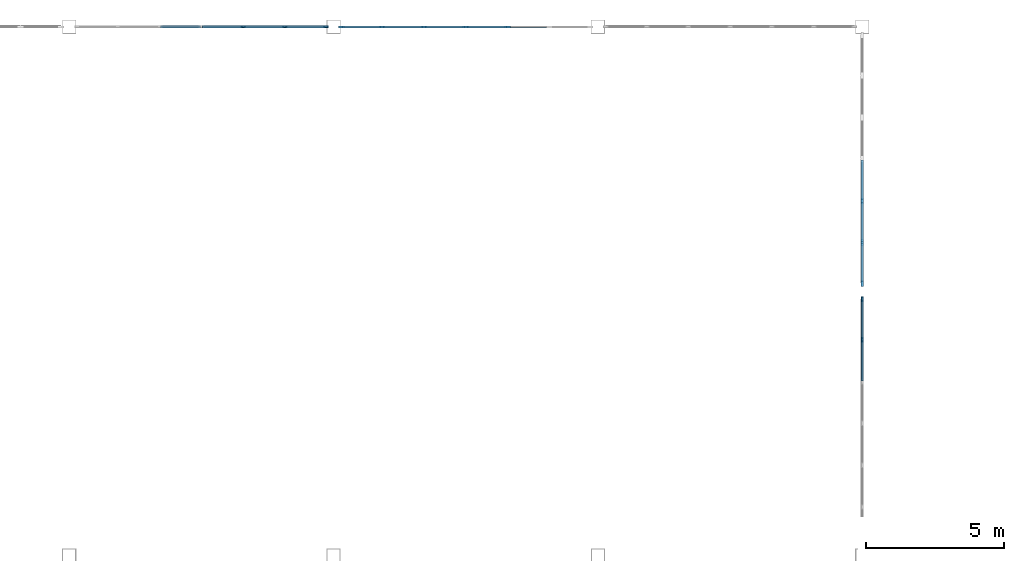
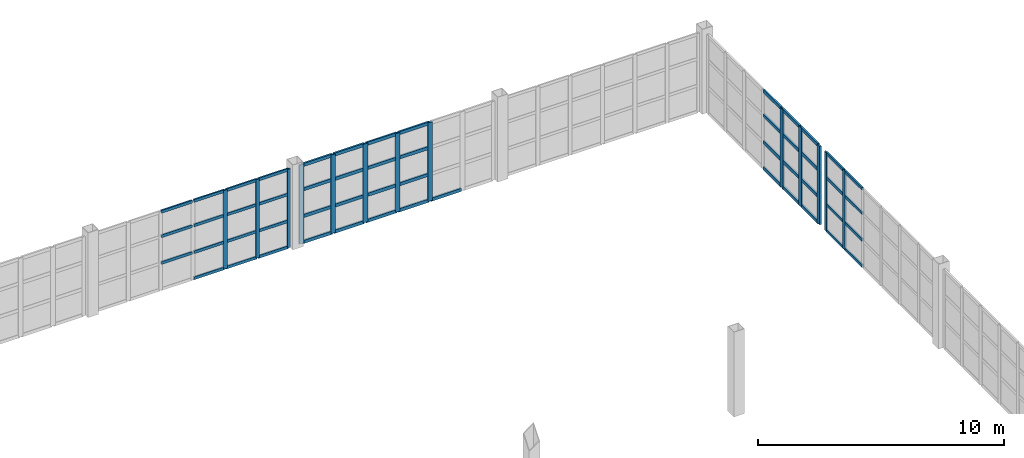
# One storey, part 40 of 82: 65 members, 4 elements without a shape of their own.
"""IFC4 building model written with IfcOpenShell, lengths in metres."""

from ifc_helpers import new_model, si_unit, direction, frame, origin, origin_2d, place, context, subcontext, project, spatial, rectangle, extrude, material, layer, layer_set, material_profile, profile_set, type_object, element, aggregate, save


model = new_model("IFC4")

# Units and contexts
model_context = context("Model", 3, precision=1e-05, world=origin(), true_north=direction((0.0, 1.0)))
body_context = subcontext(model_context, "Body", "Model", "MODEL_VIEW")
ifc_project = project(units=[si_unit("LENGTHUNIT", "METRE"), si_unit("AREAUNIT", "SQUARE_METRE"), si_unit("VOLUMEUNIT", "CUBIC_METRE"), si_unit("PLANEANGLEUNIT", "RADIAN"), si_unit("MASSUNIT", "GRAM", prefix="KILO")], contexts=[model_context])

# Site, building, storey
site_placement = place(None, origin())
site = spatial("IfcSite", under=ifc_project, at=site_placement, CompositionType="ELEMENT")
building_placement = place(site_placement, origin())
building = spatial("IfcBuilding", under=site, at=building_placement, Name="Zarnetskaya Central Station", CompositionType="ELEMENT")
storey_placement = place(building_placement, frame((0.0, 0.0, 10.199951171875)))
storey = spatial("IfcBuildingStorey", under=building, at=storey_placement, Name="L02", CompositionType="ELEMENT", Elevation=10.199951171875)

# Curtain wall, members
ifc_material_1 = material(Name="Low-E insulated glass", Category="glass")
ifc_layer = layer(ifc_material_1, 0.1640625, Name="Low-E insulated glass", Category="glass")
ifc_layer_set = layer_set([ifc_layer], Name="Low-E insulated glass")
curtain_wall_type = type_object("IfcCurtainWallType", Name="CW-SYS-12", PredefinedType="USERDEFINED", material=ifc_layer_set)
curtain_wall_1_placement = place(storey_placement, origin())
curtain_wall_1 = element("IfcCurtainWall", 1, at=curtain_wall_1_placement, inside=storey, type_object=curtain_wall_type, Name="Curtain wall CW-L02-173", ObjectType="CURTAIN WALL", PredefinedType="USERDEFINED")
ifc_material_2 = material(Name="Anodised aluminium", Category="aluminium")
ifc_material_profile_1 = material_profile(ifc_material_2, rectangle(XDim=0.070068359375, YDim=0.179931640625, at=origin_2d()), Name="ALU MULL 70x180")
ifc_profile_set_1 = profile_set([ifc_material_profile_1], Name="Anodised aluminium")
member_type_1 = type_object("IfcMemberType", Name="CW-MULL-180", PredefinedType="MULLION", material=ifc_profile_set_1)
member_1_placement = place(storey_placement, frame((102.316650390625, 124.800048828125, 0.0), z_axis=(0.0, 0.0, 1.0), x_axis=(0.0, 1.0, 0.0)))
member_1 = element("IfcMember", 2, at=member_1_placement, type_object=member_type_1, Name="CW-18 mullion 5", PredefinedType="MULLION", context=body_context, shape_type="SweptSolid", body=[
    extrude(rectangle(XDim=0.070068359375, YDim=0.179931640625, at=origin_2d()), origin(), (0.0, 0.0, 1.0), 3.900146484375),
])
member_2_placement = place(storey_placement, frame((103.833251953125, 124.800048828125, 0.0), z_axis=(0.0, 0.0, 1.0), x_axis=(0.0, 1.0, 0.0)))
member_2 = element("IfcMember", 3, at=member_2_placement, type_object=member_type_1, Name="CW-18 mullion 6", PredefinedType="MULLION", context=body_context, shape_type="SweptSolid", body=[
    extrude(rectangle(XDim=0.070068359375, YDim=0.179931640625, at=origin_2d()), origin(), (0.0, 0.0, 1.0), 3.900146484375),
])
member_3_placement = place(storey_placement, frame((105.31494140625, 124.800048828125, 0.0), z_axis=(0.0, 0.0, 1.0), x_axis=(0.0, 1.0, 0.0)))
member_3 = element("IfcMember", 4, at=member_3_placement, type_object=member_type_1, Name="CW-18 mullion 7", PredefinedType="MULLION", context=body_context, shape_type="SweptSolid", body=[
    extrude(rectangle(XDim=0.070068359375, YDim=0.179931640625, at=origin_2d()), origin(), (0.0, 0.0, 1.0), 3.900146484375),
])

curtain_wall_2_placement = place(storey_placement, origin())
curtain_wall_2 = element("IfcCurtainWall", 5, at=curtain_wall_2_placement, inside=storey, type_object=curtain_wall_type, Name="Curtain wall CW-L02-177", ObjectType="CURTAIN WALL", PredefinedType="USERDEFINED")
member_4_placement = place(storey_placement, frame((124.800048828125, 114.9150390625, 0.0), z_axis=(0.0, 0.0, 1.0), x_axis=(1.0, 0.0, 0.0)))
member_4 = element("IfcMember", 6, at=member_4_placement, type_object=member_type_1, Name="CW-18 mullion 1", PredefinedType="MULLION", context=body_context, shape_type="SweptSolid", body=[
    extrude(rectangle(XDim=0.070068359375, YDim=0.179931640625, at=origin_2d()), origin(), (0.0, 0.0, 1.0), 3.900146484375),
])
member_5_placement = place(storey_placement, frame((124.800048828125, 113.433349609375, 0.0), z_axis=(0.0, 0.0, 1.0), x_axis=(1.0, 0.0, 0.0)))
member_5 = element("IfcMember", 7, at=member_5_placement, type_object=member_type_1, Name="CW-18 mullion 2", PredefinedType="MULLION", context=body_context, shape_type="SweptSolid", body=[
    extrude(rectangle(XDim=0.070068359375, YDim=0.179931640625, at=origin_2d()), origin(), (0.0, 0.0, 1.0), 3.900146484375),
])

curtain_wall_3_placement = place(storey_placement, origin())
curtain_wall_3 = element("IfcCurtainWall", 8, at=curtain_wall_3_placement, inside=storey, type_object=curtain_wall_type, Name="Curtain wall CW-L02-174", ObjectType="CURTAIN WALL", PredefinedType="USERDEFINED")
ifc_material_profile_2 = material_profile(ifc_material_2, rectangle(XDim=0.080078125, YDim=0.219970703125, at=origin_2d()), Name="ALU MULL 80x220")
ifc_profile_set_2 = profile_set([ifc_material_profile_2], Name="Anodised aluminium")
member_type_2 = type_object("IfcMemberType", Name="CW-MULL-220", PredefinedType="MULLION", material=ifc_profile_set_2)
member_6_placement = place(storey_placement, frame((105.889892578125, 124.800048828125, 0.0), z_axis=(0.0, 0.0, 1.0), x_axis=(0.0, 1.0, 0.0)))
member_6 = element("IfcMember", 9, at=member_6_placement, type_object=member_type_2, Name="CW-18 mullion 1", PredefinedType="MULLION", context=body_context, shape_type="SweptSolid", body=[
    extrude(rectangle(XDim=0.080078125, YDim=0.219970703125, at=origin_2d()), origin(), (0.0, 0.0, 1.0), 3.900146484375),
])
member_7_placement = place(storey_placement, frame((107.36669921875, 124.800048828125, 0.0), z_axis=(0.0, 0.0, 1.0), x_axis=(0.0, 1.0, 0.0)))
member_7 = element("IfcMember", 10, at=member_7_placement, type_object=member_type_2, Name="CW-18 mullion 2", PredefinedType="MULLION", context=body_context, shape_type="SweptSolid", body=[
    extrude(rectangle(XDim=0.080078125, YDim=0.219970703125, at=origin_2d()), origin(), (0.0, 0.0, 1.0), 3.900146484375),
])
member_8_placement = place(storey_placement, frame((108.88330078125, 124.800048828125, 0.0), z_axis=(0.0, 0.0, 1.0), x_axis=(0.0, 1.0, 0.0)))
member_8 = element("IfcMember", 11, at=member_8_placement, type_object=member_type_2, Name="CW-18 mullion 3", PredefinedType="MULLION", context=body_context, shape_type="SweptSolid", body=[
    extrude(rectangle(XDim=0.080078125, YDim=0.219970703125, at=origin_2d()), origin(), (0.0, 0.0, 1.0), 3.900146484375),
])
member_9_placement = place(storey_placement, frame((110.39990234375, 124.800048828125, 0.0), z_axis=(0.0, 0.0, 1.0), x_axis=(0.0, 1.0, 0.0)))
member_9 = element("IfcMember", 12, at=member_9_placement, type_object=member_type_2, Name="CW-18 mullion 4", PredefinedType="MULLION", context=body_context, shape_type="SweptSolid", body=[
    extrude(rectangle(XDim=0.080078125, YDim=0.219970703125, at=origin_2d()), origin(), (0.0, 0.0, 1.0), 3.900146484375),
])
member_10_placement = place(storey_placement, frame((111.916748046875, 124.800048828125, 0.0), z_axis=(0.0, 0.0, 1.0), x_axis=(0.0, 1.0, 0.0)))
member_10 = element("IfcMember", 13, at=member_10_placement, type_object=member_type_2, Name="CW-18 mullion 5", PredefinedType="MULLION", context=body_context, shape_type="SweptSolid", body=[
    extrude(rectangle(XDim=0.080078125, YDim=0.219970703125, at=origin_2d()), origin(), (0.0, 0.0, 1.0), 3.900146484375),
])

curtain_wall_4_placement = place(storey_placement, origin())
curtain_wall_4 = element("IfcCurtainWall", 14, at=curtain_wall_4_placement, inside=storey, type_object=curtain_wall_type, Name="Curtain wall CW-L02-176", ObjectType="CURTAIN WALL", PredefinedType="USERDEFINED")
member_11_placement = place(storey_placement, frame((124.800048828125, 118.4833984375, 0.0), z_axis=(0.0, 0.0, 1.0), x_axis=(1.0, 0.0, 0.0)))
member_11 = element("IfcMember", 15, at=member_11_placement, type_object=member_type_2, Name="CW-18 mullion 5", PredefinedType="MULLION", context=body_context, shape_type="SweptSolid", body=[
    extrude(rectangle(XDim=0.080078125, YDim=0.219970703125, at=origin_2d()), origin(), (0.0, 0.0, 1.0), 3.900146484375),
])
member_12_placement = place(storey_placement, frame((124.800048828125, 116.966552734375, 0.0), z_axis=(0.0, 0.0, 1.0), x_axis=(1.0, 0.0, 0.0)))
member_12 = element("IfcMember", 16, at=member_12_placement, type_object=member_type_2, Name="CW-18 mullion 6", PredefinedType="MULLION", context=body_context, shape_type="SweptSolid", body=[
    extrude(rectangle(XDim=0.080078125, YDim=0.219970703125, at=origin_2d()), origin(), (0.0, 0.0, 1.0), 3.900146484375),
])
member_13_placement = place(storey_placement, frame((124.800048828125, 115.489990234375, 0.0), z_axis=(0.0, 0.0, 1.0), x_axis=(1.0, 0.0, 0.0)))
member_13 = element("IfcMember", 17, at=member_13_placement, type_object=member_type_2, Name="CW-18 mullion 7", PredefinedType="MULLION", context=body_context, shape_type="SweptSolid", body=[
    extrude(rectangle(XDim=0.080078125, YDim=0.219970703125, at=origin_2d()), origin(), (0.0, 0.0, 1.0), 3.900146484375),
])

# Member
ifc_material_profile_3 = material_profile(ifc_material_2, rectangle(XDim=0.070068359375, YDim=0.139892578125, at=origin_2d()), Name="ALU TRAN 70x140")
ifc_profile_set_3 = profile_set([ifc_material_profile_3], Name="Anodised aluminium")
member_type_3 = type_object("IfcMemberType", Name="CW-TRAN-140", PredefinedType="USERDEFINED", material=ifc_profile_set_3)
member_14_placement = place(storey_placement, frame((99.318359375, 124.800048828125, 1.325927734375), z_axis=(1.0, 0.0, 0.0), x_axis=(0.0, 1.0, 0.0)))
member_14 = element("IfcMember", 18, at=member_14_placement, type_object=member_type_3, Name="CW-18 transom 3.2", ObjectType="TRANSOM", PredefinedType="USERDEFINED", context=body_context, shape_type="SweptSolid", body=[
    extrude(rectangle(XDim=0.070068359375, YDim=0.139892578125, at=origin_2d()), origin(), (0.0, 0.0, 1.0), 1.446533203125),
])

member_15_placement = place(storey_placement, frame((99.318359375, 124.800048828125, 2.652099609375), z_axis=(1.0, 0.0, 0.0), x_axis=(0.0, 1.0, 0.0)))
member_15 = element("IfcMember", 19, at=member_15_placement, type_object=member_type_3, Name="CW-18 transom 3.3", ObjectType="TRANSOM", PredefinedType="USERDEFINED", context=body_context, shape_type="SweptSolid", body=[
    extrude(rectangle(XDim=0.070068359375, YDim=0.139892578125, at=origin_2d()), origin(), (0.0, 0.0, 1.0), 1.446533203125),
])

member_16_placement = place(storey_placement, frame((99.318359375, 124.800048828125, 3.864990234375), z_axis=(1.0, 0.0, 0.0), x_axis=(0.0, 1.0, 0.0)))
member_16 = element("IfcMember", 20, at=member_16_placement, type_object=member_type_3, Name="CW-18 transom 3.4", ObjectType="TRANSOM", PredefinedType="USERDEFINED", context=body_context, shape_type="SweptSolid", body=[
    extrude(rectangle(XDim=0.070068359375, YDim=0.139892578125, at=origin_2d()), origin(), (0.0, 0.0, 1.0), 1.446533203125),
])

member_17_placement = place(storey_placement, frame((100.8349609375, 124.800048828125, 0.03515625), z_axis=(1.0, 0.0, 0.0), x_axis=(0.0, 1.0, 0.0)))
member_17 = element("IfcMember", 21, at=member_17_placement, type_object=member_type_3, Name="CW-18 transom 4.1", ObjectType="TRANSOM", PredefinedType="USERDEFINED", context=body_context, shape_type="SweptSolid", body=[
    extrude(rectangle(XDim=0.070068359375, YDim=0.139892578125, at=origin_2d()), origin(), (0.0, 0.0, 1.0), 1.44677734375),
])

member_18_placement = place(storey_placement, frame((100.8349609375, 124.800048828125, 1.325927734375), z_axis=(1.0, 0.0, 0.0), x_axis=(0.0, 1.0, 0.0)))
member_18 = element("IfcMember", 22, at=member_18_placement, type_object=member_type_3, Name="CW-18 transom 4.2", ObjectType="TRANSOM", PredefinedType="USERDEFINED", context=body_context, shape_type="SweptSolid", body=[
    extrude(rectangle(XDim=0.070068359375, YDim=0.139892578125, at=origin_2d()), origin(), (0.0, 0.0, 1.0), 1.44677734375),
])

member_19_placement = place(storey_placement, frame((100.8349609375, 124.800048828125, 2.652099609375), z_axis=(1.0, 0.0, 0.0), x_axis=(0.0, 1.0, 0.0)))
member_19 = element("IfcMember", 23, at=member_19_placement, type_object=member_type_3, Name="CW-18 transom 4.3", ObjectType="TRANSOM", PredefinedType="USERDEFINED", context=body_context, shape_type="SweptSolid", body=[
    extrude(rectangle(XDim=0.070068359375, YDim=0.139892578125, at=origin_2d()), origin(), (0.0, 0.0, 1.0), 1.44677734375),
])

member_20_placement = place(storey_placement, frame((100.8349609375, 124.800048828125, 3.864990234375), z_axis=(1.0, 0.0, 0.0), x_axis=(0.0, 1.0, 0.0)))
member_20 = element("IfcMember", 24, at=member_20_placement, type_object=member_type_3, Name="CW-18 transom 4.4", ObjectType="TRANSOM", PredefinedType="USERDEFINED", context=body_context, shape_type="SweptSolid", body=[
    extrude(rectangle(XDim=0.070068359375, YDim=0.139892578125, at=origin_2d()), origin(), (0.0, 0.0, 1.0), 1.44677734375),
])

member_21_placement = place(storey_placement, frame((102.3515625, 124.800048828125, 0.03515625), z_axis=(1.0, 0.0, 0.0), x_axis=(0.0, 1.0, 0.0)))
member_21 = element("IfcMember", 25, at=member_21_placement, type_object=member_type_3, Name="CW-18 transom 5.1", ObjectType="TRANSOM", PredefinedType="USERDEFINED", context=body_context, shape_type="SweptSolid", body=[
    extrude(rectangle(XDim=0.070068359375, YDim=0.139892578125, at=origin_2d()), origin(), (0.0, 0.0, 1.0), 1.44677734375),
])

member_22_placement = place(storey_placement, frame((102.3515625, 124.800048828125, 1.325927734375), z_axis=(1.0, 0.0, 0.0), x_axis=(0.0, 1.0, 0.0)))
member_22 = element("IfcMember", 26, at=member_22_placement, type_object=member_type_3, Name="CW-18 transom 5.2", ObjectType="TRANSOM", PredefinedType="USERDEFINED", context=body_context, shape_type="SweptSolid", body=[
    extrude(rectangle(XDim=0.070068359375, YDim=0.139892578125, at=origin_2d()), origin(), (0.0, 0.0, 1.0), 1.44677734375),
])

member_23_placement = place(storey_placement, frame((102.3515625, 124.800048828125, 2.652099609375), z_axis=(1.0, 0.0, 0.0), x_axis=(0.0, 1.0, 0.0)))
member_23 = element("IfcMember", 27, at=member_23_placement, type_object=member_type_3, Name="CW-18 transom 5.3", ObjectType="TRANSOM", PredefinedType="USERDEFINED", context=body_context, shape_type="SweptSolid", body=[
    extrude(rectangle(XDim=0.070068359375, YDim=0.139892578125, at=origin_2d()), origin(), (0.0, 0.0, 1.0), 1.44677734375),
])

member_24_placement = place(storey_placement, frame((102.3515625, 124.800048828125, 3.864990234375), z_axis=(1.0, 0.0, 0.0), x_axis=(0.0, 1.0, 0.0)))
member_24 = element("IfcMember", 28, at=member_24_placement, type_object=member_type_3, Name="CW-18 transom 5.4", ObjectType="TRANSOM", PredefinedType="USERDEFINED", context=body_context, shape_type="SweptSolid", body=[
    extrude(rectangle(XDim=0.070068359375, YDim=0.139892578125, at=origin_2d()), origin(), (0.0, 0.0, 1.0), 1.44677734375),
])

member_25_placement = place(storey_placement, frame((103.868408203125, 124.800048828125, 0.03515625), z_axis=(1.0, 0.0, 0.0), x_axis=(0.0, 1.0, 0.0)))
member_25 = element("IfcMember", 29, at=member_25_placement, type_object=member_type_3, Name="CW-18 transom 6.1", ObjectType="TRANSOM", PredefinedType="USERDEFINED", context=body_context, shape_type="SweptSolid", body=[
    extrude(rectangle(XDim=0.070068359375, YDim=0.139892578125, at=origin_2d()), origin(), (0.0, 0.0, 1.0), 1.41162109375),
])

member_26_placement = place(storey_placement, frame((103.868408203125, 124.800048828125, 1.325927734375), z_axis=(1.0, 0.0, 0.0), x_axis=(0.0, 1.0, 0.0)))
member_26 = element("IfcMember", 30, at=member_26_placement, type_object=member_type_3, Name="CW-18 transom 6.2", ObjectType="TRANSOM", PredefinedType="USERDEFINED", context=body_context, shape_type="SweptSolid", body=[
    extrude(rectangle(XDim=0.070068359375, YDim=0.139892578125, at=origin_2d()), origin(), (0.0, 0.0, 1.0), 1.41162109375),
])

member_27_placement = place(storey_placement, frame((103.868408203125, 124.800048828125, 2.652099609375), z_axis=(1.0, 0.0, 0.0), x_axis=(0.0, 1.0, 0.0)))
member_27 = element("IfcMember", 31, at=member_27_placement, type_object=member_type_3, Name="CW-18 transom 6.3", ObjectType="TRANSOM", PredefinedType="USERDEFINED", context=body_context, shape_type="SweptSolid", body=[
    extrude(rectangle(XDim=0.070068359375, YDim=0.139892578125, at=origin_2d()), origin(), (0.0, 0.0, 1.0), 1.41162109375),
])

member_28_placement = place(storey_placement, frame((103.868408203125, 124.800048828125, 3.864990234375), z_axis=(1.0, 0.0, 0.0), x_axis=(0.0, 1.0, 0.0)))
member_28 = element("IfcMember", 32, at=member_28_placement, type_object=member_type_3, Name="CW-18 transom 6.4", ObjectType="TRANSOM", PredefinedType="USERDEFINED", context=body_context, shape_type="SweptSolid", body=[
    extrude(rectangle(XDim=0.070068359375, YDim=0.139892578125, at=origin_2d()), origin(), (0.0, 0.0, 1.0), 1.41162109375),
])

aggregate(curtain_wall_1, [member_1, member_2, member_3, member_14, member_15, member_16, member_17, member_18, member_19, member_20, member_21, member_22, member_23, member_24, member_25, member_26, member_27, member_28])

member_29_placement = place(storey_placement, frame((124.800048828125, 114.8798828125, 0.03515625), z_axis=(0.0, -1.0, 0.0), x_axis=(1.0, 0.0, 0.0)))
member_29 = element("IfcMember", 33, at=member_29_placement, type_object=member_type_3, Name="CW-18 transom 1.1", ObjectType="TRANSOM", PredefinedType="USERDEFINED", context=body_context, shape_type="SweptSolid", body=[
    extrude(rectangle(XDim=0.070068359375, YDim=0.139892578125, at=origin_2d()), origin(), (0.0, 0.0, 1.0), 1.41162109375),
])

member_30_placement = place(storey_placement, frame((124.800048828125, 114.8798828125, 1.325927734375), z_axis=(0.0, -1.0, 0.0), x_axis=(1.0, 0.0, 0.0)))
member_30 = element("IfcMember", 34, at=member_30_placement, type_object=member_type_3, Name="CW-18 transom 1.2", ObjectType="TRANSOM", PredefinedType="USERDEFINED", context=body_context, shape_type="SweptSolid", body=[
    extrude(rectangle(XDim=0.070068359375, YDim=0.139892578125, at=origin_2d()), origin(), (0.0, 0.0, 1.0), 1.41162109375),
])

member_31_placement = place(storey_placement, frame((124.800048828125, 114.8798828125, 2.652099609375), z_axis=(0.0, -1.0, 0.0), x_axis=(1.0, 0.0, 0.0)))
member_31 = element("IfcMember", 35, at=member_31_placement, type_object=member_type_3, Name="CW-18 transom 1.3", ObjectType="TRANSOM", PredefinedType="USERDEFINED", context=body_context, shape_type="SweptSolid", body=[
    extrude(rectangle(XDim=0.070068359375, YDim=0.139892578125, at=origin_2d()), origin(), (0.0, 0.0, 1.0), 1.41162109375),
])

member_32_placement = place(storey_placement, frame((124.800048828125, 114.8798828125, 3.864990234375), z_axis=(0.0, -1.0, 0.0), x_axis=(1.0, 0.0, 0.0)))
member_32 = element("IfcMember", 36, at=member_32_placement, type_object=member_type_3, Name="CW-18 transom 1.4", ObjectType="TRANSOM", PredefinedType="USERDEFINED", context=body_context, shape_type="SweptSolid", body=[
    extrude(rectangle(XDim=0.070068359375, YDim=0.139892578125, at=origin_2d()), origin(), (0.0, 0.0, 1.0), 1.41162109375),
])

member_33_placement = place(storey_placement, frame((124.800048828125, 113.3984375, 0.03515625), z_axis=(0.0, -1.0, 0.0), x_axis=(1.0, 0.0, 0.0)))
member_33 = element("IfcMember", 37, at=member_33_placement, type_object=member_type_3, Name="CW-18 transom 2.1", ObjectType="TRANSOM", PredefinedType="USERDEFINED", context=body_context, shape_type="SweptSolid", body=[
    extrude(rectangle(XDim=0.070068359375, YDim=0.139892578125, at=origin_2d()), origin(), (0.0, 0.0, 1.0), 1.44677734375),
])

member_34_placement = place(storey_placement, frame((124.800048828125, 113.3984375, 1.325927734375), z_axis=(0.0, -1.0, 0.0), x_axis=(1.0, 0.0, 0.0)))
member_34 = element("IfcMember", 38, at=member_34_placement, type_object=member_type_3, Name="CW-18 transom 2.2", ObjectType="TRANSOM", PredefinedType="USERDEFINED", context=body_context, shape_type="SweptSolid", body=[
    extrude(rectangle(XDim=0.070068359375, YDim=0.139892578125, at=origin_2d()), origin(), (0.0, 0.0, 1.0), 1.44677734375),
])

member_35_placement = place(storey_placement, frame((124.800048828125, 113.3984375, 2.652099609375), z_axis=(0.0, -1.0, 0.0), x_axis=(1.0, 0.0, 0.0)))
member_35 = element("IfcMember", 39, at=member_35_placement, type_object=member_type_3, Name="CW-18 transom 2.3", ObjectType="TRANSOM", PredefinedType="USERDEFINED", context=body_context, shape_type="SweptSolid", body=[
    extrude(rectangle(XDim=0.070068359375, YDim=0.139892578125, at=origin_2d()), origin(), (0.0, 0.0, 1.0), 1.44677734375),
])

member_36_placement = place(storey_placement, frame((124.800048828125, 113.3984375, 3.864990234375), z_axis=(0.0, -1.0, 0.0), x_axis=(1.0, 0.0, 0.0)))
member_36 = element("IfcMember", 40, at=member_36_placement, type_object=member_type_3, Name="CW-18 transom 2.4", ObjectType="TRANSOM", PredefinedType="USERDEFINED", context=body_context, shape_type="SweptSolid", body=[
    extrude(rectangle(XDim=0.070068359375, YDim=0.139892578125, at=origin_2d()), origin(), (0.0, 0.0, 1.0), 1.44677734375),
])

aggregate(curtain_wall_2, [member_4, member_5, member_29, member_30, member_31, member_32, member_33, member_34, member_35, member_36])

ifc_material_profile_4 = material_profile(ifc_material_2, rectangle(XDim=0.080078125, YDim=0.159912109375, at=origin_2d()), Name="ALU TRAN 80x160")
ifc_profile_set_4 = profile_set([ifc_material_profile_4], Name="Anodised aluminium")
member_type_4 = type_object("IfcMemberType", Name="CW-TRAN-160", PredefinedType="USERDEFINED", material=ifc_profile_set_4)
member_37_placement = place(storey_placement, frame((105.929931640625, 124.800048828125, 0.0400390625), z_axis=(1.0, 0.0, 0.0), x_axis=(0.0, 1.0, 0.0)))
member_37 = element("IfcMember", 41, at=member_37_placement, type_object=member_type_4, Name="CW-18 transom 1.1", ObjectType="TRANSOM", PredefinedType="USERDEFINED", context=body_context, shape_type="SweptSolid", body=[
    extrude(rectangle(XDim=0.080078125, YDim=0.159912109375, at=origin_2d()), origin(), (0.0, 0.0, 1.0), 1.396728515625),
])

member_38_placement = place(storey_placement, frame((105.929931640625, 124.800048828125, 1.325927734375), z_axis=(1.0, 0.0, 0.0), x_axis=(0.0, 1.0, 0.0)))
member_38 = element("IfcMember", 42, at=member_38_placement, type_object=member_type_4, Name="CW-18 transom 1.2", ObjectType="TRANSOM", PredefinedType="USERDEFINED", context=body_context, shape_type="SweptSolid", body=[
    extrude(rectangle(XDim=0.080078125, YDim=0.159912109375, at=origin_2d()), origin(), (0.0, 0.0, 1.0), 1.396728515625),
])

member_39_placement = place(storey_placement, frame((105.929931640625, 124.800048828125, 2.652099609375), z_axis=(1.0, 0.0, 0.0), x_axis=(0.0, 1.0, 0.0)))
member_39 = element("IfcMember", 43, at=member_39_placement, type_object=member_type_4, Name="CW-18 transom 1.3", ObjectType="TRANSOM", PredefinedType="USERDEFINED", context=body_context, shape_type="SweptSolid", body=[
    extrude(rectangle(XDim=0.080078125, YDim=0.159912109375, at=origin_2d()), origin(), (0.0, 0.0, 1.0), 1.396728515625),
])

member_40_placement = place(storey_placement, frame((105.929931640625, 124.800048828125, 3.860107421875), z_axis=(1.0, 0.0, 0.0), x_axis=(0.0, 1.0, 0.0)))
member_40 = element("IfcMember", 44, at=member_40_placement, type_object=member_type_4, Name="CW-18 transom 1.4", ObjectType="TRANSOM", PredefinedType="USERDEFINED", context=body_context, shape_type="SweptSolid", body=[
    extrude(rectangle(XDim=0.080078125, YDim=0.159912109375, at=origin_2d()), origin(), (0.0, 0.0, 1.0), 1.396728515625),
])

member_41_placement = place(storey_placement, frame((107.40673828125, 124.800048828125, 0.0400390625), z_axis=(1.0, 0.0, 0.0), x_axis=(0.0, 1.0, 0.0)))
member_41 = element("IfcMember", 45, at=member_41_placement, type_object=member_type_4, Name="CW-18 transom 2.1", ObjectType="TRANSOM", PredefinedType="USERDEFINED", context=body_context, shape_type="SweptSolid", body=[
    extrude(rectangle(XDim=0.080078125, YDim=0.159912109375, at=origin_2d()), origin(), (0.0, 0.0, 1.0), 1.4365234375),
])

member_42_placement = place(storey_placement, frame((107.40673828125, 124.800048828125, 1.325927734375), z_axis=(1.0, 0.0, 0.0), x_axis=(0.0, 1.0, 0.0)))
member_42 = element("IfcMember", 46, at=member_42_placement, type_object=member_type_4, Name="CW-18 transom 2.2", ObjectType="TRANSOM", PredefinedType="USERDEFINED", context=body_context, shape_type="SweptSolid", body=[
    extrude(rectangle(XDim=0.080078125, YDim=0.159912109375, at=origin_2d()), origin(), (0.0, 0.0, 1.0), 1.4365234375),
])

member_43_placement = place(storey_placement, frame((107.40673828125, 124.800048828125, 2.652099609375), z_axis=(1.0, 0.0, 0.0), x_axis=(0.0, 1.0, 0.0)))
member_43 = element("IfcMember", 47, at=member_43_placement, type_object=member_type_4, Name="CW-18 transom 2.3", ObjectType="TRANSOM", PredefinedType="USERDEFINED", context=body_context, shape_type="SweptSolid", body=[
    extrude(rectangle(XDim=0.080078125, YDim=0.159912109375, at=origin_2d()), origin(), (0.0, 0.0, 1.0), 1.4365234375),
])

member_44_placement = place(storey_placement, frame((107.40673828125, 124.800048828125, 3.860107421875), z_axis=(1.0, 0.0, 0.0), x_axis=(0.0, 1.0, 0.0)))
member_44 = element("IfcMember", 48, at=member_44_placement, type_object=member_type_4, Name="CW-18 transom 2.4", ObjectType="TRANSOM", PredefinedType="USERDEFINED", context=body_context, shape_type="SweptSolid", body=[
    extrude(rectangle(XDim=0.080078125, YDim=0.159912109375, at=origin_2d()), origin(), (0.0, 0.0, 1.0), 1.4365234375),
])

member_45_placement = place(storey_placement, frame((108.92333984375, 124.800048828125, 0.0400390625), z_axis=(1.0, 0.0, 0.0), x_axis=(0.0, 1.0, 0.0)))
member_45 = element("IfcMember", 49, at=member_45_placement, type_object=member_type_4, Name="CW-18 transom 3.1", ObjectType="TRANSOM", PredefinedType="USERDEFINED", context=body_context, shape_type="SweptSolid", body=[
    extrude(rectangle(XDim=0.080078125, YDim=0.159912109375, at=origin_2d()), origin(), (0.0, 0.0, 1.0), 1.436767578125),
])

member_46_placement = place(storey_placement, frame((108.92333984375, 124.800048828125, 1.325927734375), z_axis=(1.0, 0.0, 0.0), x_axis=(0.0, 1.0, 0.0)))
member_46 = element("IfcMember", 50, at=member_46_placement, type_object=member_type_4, Name="CW-18 transom 3.2", ObjectType="TRANSOM", PredefinedType="USERDEFINED", context=body_context, shape_type="SweptSolid", body=[
    extrude(rectangle(XDim=0.080078125, YDim=0.159912109375, at=origin_2d()), origin(), (0.0, 0.0, 1.0), 1.436767578125),
])

member_47_placement = place(storey_placement, frame((108.92333984375, 124.800048828125, 2.652099609375), z_axis=(1.0, 0.0, 0.0), x_axis=(0.0, 1.0, 0.0)))
member_47 = element("IfcMember", 51, at=member_47_placement, type_object=member_type_4, Name="CW-18 transom 3.3", ObjectType="TRANSOM", PredefinedType="USERDEFINED", context=body_context, shape_type="SweptSolid", body=[
    extrude(rectangle(XDim=0.080078125, YDim=0.159912109375, at=origin_2d()), origin(), (0.0, 0.0, 1.0), 1.436767578125),
])

member_48_placement = place(storey_placement, frame((108.92333984375, 124.800048828125, 3.860107421875), z_axis=(1.0, 0.0, 0.0), x_axis=(0.0, 1.0, 0.0)))
member_48 = element("IfcMember", 52, at=member_48_placement, type_object=member_type_4, Name="CW-18 transom 3.4", ObjectType="TRANSOM", PredefinedType="USERDEFINED", context=body_context, shape_type="SweptSolid", body=[
    extrude(rectangle(XDim=0.080078125, YDim=0.159912109375, at=origin_2d()), origin(), (0.0, 0.0, 1.0), 1.436767578125),
])

member_49_placement = place(storey_placement, frame((110.43994140625, 124.800048828125, 0.0400390625), z_axis=(1.0, 0.0, 0.0), x_axis=(0.0, 1.0, 0.0)))
member_49 = element("IfcMember", 53, at=member_49_placement, type_object=member_type_4, Name="CW-18 transom 4.1", ObjectType="TRANSOM", PredefinedType="USERDEFINED", context=body_context, shape_type="SweptSolid", body=[
    extrude(rectangle(XDim=0.080078125, YDim=0.159912109375, at=origin_2d()), origin(), (0.0, 0.0, 1.0), 1.436767578125),
])

member_50_placement = place(storey_placement, frame((110.43994140625, 124.800048828125, 1.325927734375), z_axis=(1.0, 0.0, 0.0), x_axis=(0.0, 1.0, 0.0)))
member_50 = element("IfcMember", 54, at=member_50_placement, type_object=member_type_4, Name="CW-18 transom 4.2", ObjectType="TRANSOM", PredefinedType="USERDEFINED", context=body_context, shape_type="SweptSolid", body=[
    extrude(rectangle(XDim=0.080078125, YDim=0.159912109375, at=origin_2d()), origin(), (0.0, 0.0, 1.0), 1.436767578125),
])

member_51_placement = place(storey_placement, frame((110.43994140625, 124.800048828125, 2.652099609375), z_axis=(1.0, 0.0, 0.0), x_axis=(0.0, 1.0, 0.0)))
member_51 = element("IfcMember", 55, at=member_51_placement, type_object=member_type_4, Name="CW-18 transom 4.3", ObjectType="TRANSOM", PredefinedType="USERDEFINED", context=body_context, shape_type="SweptSolid", body=[
    extrude(rectangle(XDim=0.080078125, YDim=0.159912109375, at=origin_2d()), origin(), (0.0, 0.0, 1.0), 1.436767578125),
])

member_52_placement = place(storey_placement, frame((110.43994140625, 124.800048828125, 3.860107421875), z_axis=(1.0, 0.0, 0.0), x_axis=(0.0, 1.0, 0.0)))
member_52 = element("IfcMember", 56, at=member_52_placement, type_object=member_type_4, Name="CW-18 transom 4.4", ObjectType="TRANSOM", PredefinedType="USERDEFINED", context=body_context, shape_type="SweptSolid", body=[
    extrude(rectangle(XDim=0.080078125, YDim=0.159912109375, at=origin_2d()), origin(), (0.0, 0.0, 1.0), 1.436767578125),
])

member_53_placement = place(storey_placement, frame((111.956787109375, 124.800048828125, 0.0400390625), z_axis=(1.0, 0.0, 0.0), x_axis=(0.0, 1.0, 0.0)))
member_53 = element("IfcMember", 57, at=member_53_placement, type_object=member_type_4, Name="CW-18 transom 5.1", ObjectType="TRANSOM", PredefinedType="USERDEFINED", context=body_context, shape_type="SweptSolid", body=[
    extrude(rectangle(XDim=0.080078125, YDim=0.159912109375, at=origin_2d()), origin(), (0.0, 0.0, 1.0), 1.4365234375),
])

aggregate(curtain_wall_3, [member_6, member_7, member_8, member_9, member_10, member_37, member_38, member_39, member_40, member_41, member_42, member_43, member_44, member_45, member_46, member_47, member_48, member_49, member_50, member_51, member_52, member_53])

member_54_placement = place(storey_placement, frame((124.800048828125, 119.9599609375, 0.0400390625), z_axis=(0.0, -1.0, 0.0), x_axis=(1.0, 0.0, 0.0)))
member_54 = element("IfcMember", 58, at=member_54_placement, type_object=member_type_4, Name="CW-18 transom 4.1", ObjectType="TRANSOM", PredefinedType="USERDEFINED", context=body_context, shape_type="SweptSolid", body=[
    extrude(rectangle(XDim=0.080078125, YDim=0.159912109375, at=origin_2d()), origin(), (0.0, 0.0, 1.0), 1.4365234375),
])

member_55_placement = place(storey_placement, frame((124.800048828125, 119.9599609375, 1.325927734375), z_axis=(0.0, -1.0, 0.0), x_axis=(1.0, 0.0, 0.0)))
member_55 = element("IfcMember", 59, at=member_55_placement, type_object=member_type_4, Name="CW-18 transom 4.2", ObjectType="TRANSOM", PredefinedType="USERDEFINED", context=body_context, shape_type="SweptSolid", body=[
    extrude(rectangle(XDim=0.080078125, YDim=0.159912109375, at=origin_2d()), origin(), (0.0, 0.0, 1.0), 1.4365234375),
])

member_56_placement = place(storey_placement, frame((124.800048828125, 119.9599609375, 2.652099609375), z_axis=(0.0, -1.0, 0.0), x_axis=(1.0, 0.0, 0.0)))
member_56 = element("IfcMember", 60, at=member_56_placement, type_object=member_type_4, Name="CW-18 transom 4.3", ObjectType="TRANSOM", PredefinedType="USERDEFINED", context=body_context, shape_type="SweptSolid", body=[
    extrude(rectangle(XDim=0.080078125, YDim=0.159912109375, at=origin_2d()), origin(), (0.0, 0.0, 1.0), 1.4365234375),
])

member_57_placement = place(storey_placement, frame((124.800048828125, 119.9599609375, 3.860107421875), z_axis=(0.0, -1.0, 0.0), x_axis=(1.0, 0.0, 0.0)))
member_57 = element("IfcMember", 61, at=member_57_placement, type_object=member_type_4, Name="CW-18 transom 4.4", ObjectType="TRANSOM", PredefinedType="USERDEFINED", context=body_context, shape_type="SweptSolid", body=[
    extrude(rectangle(XDim=0.080078125, YDim=0.159912109375, at=origin_2d()), origin(), (0.0, 0.0, 1.0), 1.4365234375),
])

member_58_placement = place(storey_placement, frame((124.800048828125, 118.443359375, 0.0400390625), z_axis=(0.0, -1.0, 0.0), x_axis=(1.0, 0.0, 0.0)))
member_58 = element("IfcMember", 62, at=member_58_placement, type_object=member_type_4, Name="CW-18 transom 5.1", ObjectType="TRANSOM", PredefinedType="USERDEFINED", context=body_context, shape_type="SweptSolid", body=[
    extrude(rectangle(XDim=0.080078125, YDim=0.159912109375, at=origin_2d()), origin(), (0.0, 0.0, 1.0), 1.436767578125),
])

member_59_placement = place(storey_placement, frame((124.800048828125, 118.443359375, 1.325927734375), z_axis=(0.0, -1.0, 0.0), x_axis=(1.0, 0.0, 0.0)))
member_59 = element("IfcMember", 63, at=member_59_placement, type_object=member_type_4, Name="CW-18 transom 5.2", ObjectType="TRANSOM", PredefinedType="USERDEFINED", context=body_context, shape_type="SweptSolid", body=[
    extrude(rectangle(XDim=0.080078125, YDim=0.159912109375, at=origin_2d()), origin(), (0.0, 0.0, 1.0), 1.436767578125),
])

member_60_placement = place(storey_placement, frame((124.800048828125, 118.443359375, 2.652099609375), z_axis=(0.0, -1.0, 0.0), x_axis=(1.0, 0.0, 0.0)))
member_60 = element("IfcMember", 64, at=member_60_placement, type_object=member_type_4, Name="CW-18 transom 5.3", ObjectType="TRANSOM", PredefinedType="USERDEFINED", context=body_context, shape_type="SweptSolid", body=[
    extrude(rectangle(XDim=0.080078125, YDim=0.159912109375, at=origin_2d()), origin(), (0.0, 0.0, 1.0), 1.436767578125),
])

member_61_placement = place(storey_placement, frame((124.800048828125, 118.443359375, 3.860107421875), z_axis=(0.0, -1.0, 0.0), x_axis=(1.0, 0.0, 0.0)))
member_61 = element("IfcMember", 65, at=member_61_placement, type_object=member_type_4, Name="CW-18 transom 5.4", ObjectType="TRANSOM", PredefinedType="USERDEFINED", context=body_context, shape_type="SweptSolid", body=[
    extrude(rectangle(XDim=0.080078125, YDim=0.159912109375, at=origin_2d()), origin(), (0.0, 0.0, 1.0), 1.436767578125),
])

member_62_placement = place(storey_placement, frame((124.800048828125, 116.9267578125, 0.0400390625), z_axis=(0.0, -1.0, 0.0), x_axis=(1.0, 0.0, 0.0)))
member_62 = element("IfcMember", 66, at=member_62_placement, type_object=member_type_4, Name="CW-18 transom 6.1", ObjectType="TRANSOM", PredefinedType="USERDEFINED", context=body_context, shape_type="SweptSolid", body=[
    extrude(rectangle(XDim=0.080078125, YDim=0.159912109375, at=origin_2d()), origin(), (0.0, 0.0, 1.0), 1.396728515625),
])

member_63_placement = place(storey_placement, frame((124.800048828125, 116.9267578125, 1.325927734375), z_axis=(0.0, -1.0, 0.0), x_axis=(1.0, 0.0, 0.0)))
member_63 = element("IfcMember", 67, at=member_63_placement, type_object=member_type_4, Name="CW-18 transom 6.2", ObjectType="TRANSOM", PredefinedType="USERDEFINED", context=body_context, shape_type="SweptSolid", body=[
    extrude(rectangle(XDim=0.080078125, YDim=0.159912109375, at=origin_2d()), origin(), (0.0, 0.0, 1.0), 1.396728515625),
])

member_64_placement = place(storey_placement, frame((124.800048828125, 116.9267578125, 2.652099609375), z_axis=(0.0, -1.0, 0.0), x_axis=(1.0, 0.0, 0.0)))
member_64 = element("IfcMember", 68, at=member_64_placement, type_object=member_type_4, Name="CW-18 transom 6.3", ObjectType="TRANSOM", PredefinedType="USERDEFINED", context=body_context, shape_type="SweptSolid", body=[
    extrude(rectangle(XDim=0.080078125, YDim=0.159912109375, at=origin_2d()), origin(), (0.0, 0.0, 1.0), 1.396728515625),
])

member_65_placement = place(storey_placement, frame((124.800048828125, 116.9267578125, 3.860107421875), z_axis=(0.0, -1.0, 0.0), x_axis=(1.0, 0.0, 0.0)))
member_65 = element("IfcMember", 69, at=member_65_placement, type_object=member_type_4, Name="CW-18 transom 6.4", ObjectType="TRANSOM", PredefinedType="USERDEFINED", context=body_context, shape_type="SweptSolid", body=[
    extrude(rectangle(XDim=0.080078125, YDim=0.159912109375, at=origin_2d()), origin(), (0.0, 0.0, 1.0), 1.396728515625),
])

aggregate(curtain_wall_4, [member_11, member_12, member_13, member_54, member_55, member_56, member_57, member_58, member_59, member_60, member_61, member_62, member_63, member_64, member_65])

save(model, "model.ifc")
